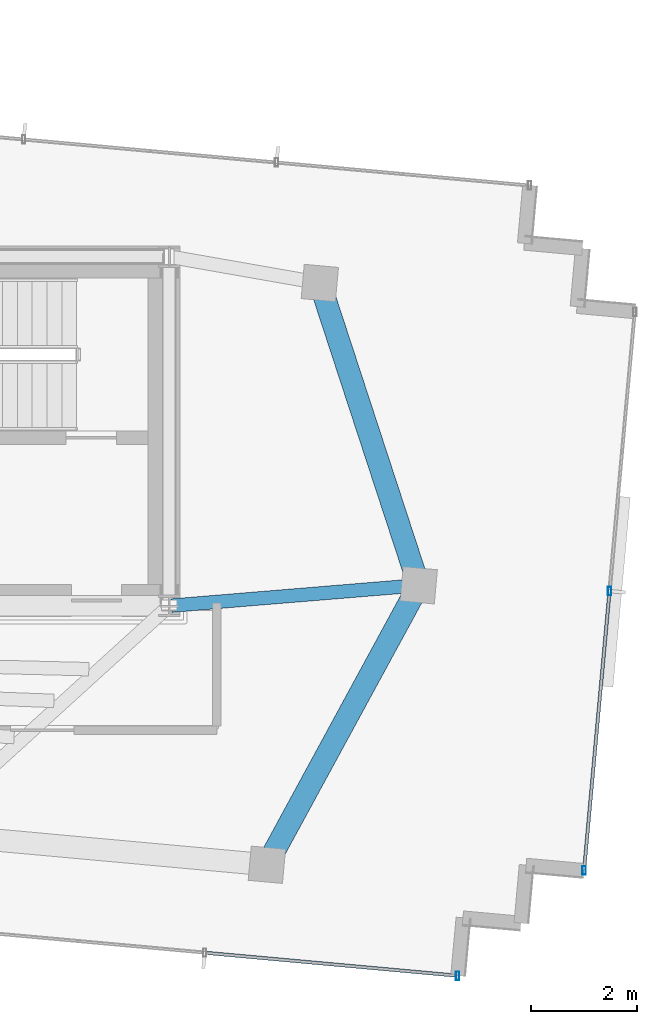
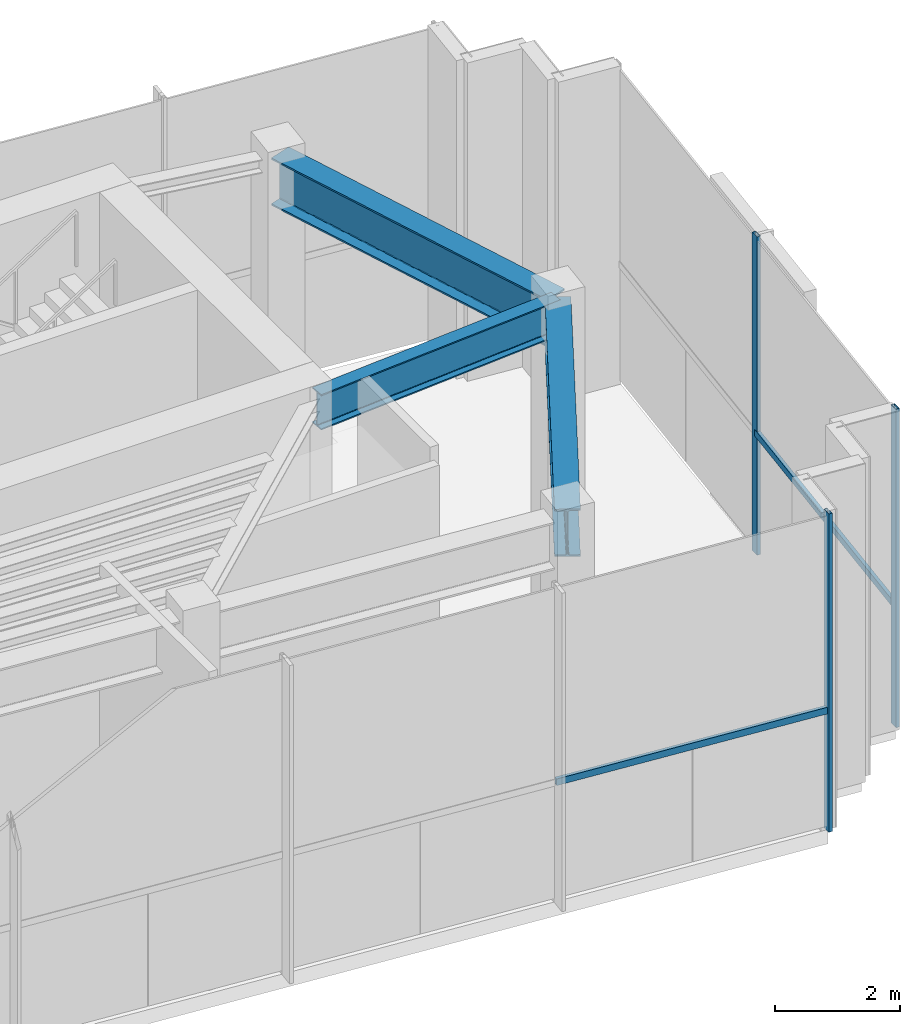
# One storey, part 12 of 19: 5 members, 3 beams, 2 elements without a shape of their own.
"""IFC4 building model written with IfcOpenShell, lengths in metres."""

from ifc_helpers import new_model, si_unit, direction, frame, origin, origin_2d, place, context, subcontext, project, spatial, hollow_rectangle, i_section, extrude, source, transform, mapped, material, material_profile, profile_set, type_object, type_shapes, element, aggregate, save


model = new_model("IFC4")

# Units and contexts
model_context = context("Model", 3, precision=1e-05, world=origin(), true_north=direction((0.0, 1.0)))
body_context = subcontext(model_context, "Body", "Model", "MODEL_VIEW")
ifc_project = project(units=[si_unit("LENGTHUNIT", "METRE"), si_unit("AREAUNIT", "SQUARE_METRE"), si_unit("VOLUMEUNIT", "CUBIC_METRE"), si_unit("PLANEANGLEUNIT", "RADIAN"), si_unit("MASSUNIT", "GRAM", prefix="KILO")], contexts=[model_context])

# Site, building, storey
site_placement = place(None, origin())
site = spatial("IfcSite", under=ifc_project, at=site_placement, CompositionType="ELEMENT")
building_placement = place(site_placement, origin())
building = spatial("IfcBuilding", under=site, at=building_placement, Name="Astriad Promenade Condominiums", CompositionType="ELEMENT")
storey_placement = place(building_placement, frame((0.0, 0.0, 283.800048828125)))
storey = spatial("IfcBuildingStorey", under=building, at=storey_placement, Name="L79", CompositionType="ELEMENT", Elevation=283.800048828125)

# Beams
ifc_material_1 = material(Name="Steel ASTM A992 Grade 50", Category="steel")
ifc_material_profile_1 = material_profile(ifc_material_1, i_section(OverallWidth=0.255859375, OverallDepth=0.693115234375, WebThickness=0.014404296875, FlangeThickness=0.023681640625, FilletRadius=0.020263671875, at=origin_2d()), Name="W27X114")
ifc_profile_set_1 = profile_set([ifc_material_profile_1], Name="Steel ASTM A992 Grade 50")
beam_type_1 = type_object("IfcBeamType", Name="STEEL FLOOR GIRDER W27X114", PredefinedType="BEAM", material=ifc_profile_set_1)
shared_shape_1 = source(origin(), body_context, "Body", "SweptSolid", [
    extrude(i_section(OverallWidth=0.255859375, OverallDepth=0.693115234375, WebThickness=0.014404296875, FlangeThickness=0.023681640625, FilletRadius=0.020263671875, at=origin_2d()), origin(), (0.0, 0.0, 1.0), 4.651611328125),
])
type_shapes(beam_type_1, [shared_shape_1])
beam_placement = place(storey_placement, frame((50.27587890625, 17.78466796875, 5.873291015625), z_axis=(-0.996633871262, -0.081981257934, 0.0), x_axis=(0.081981257934, -0.996633871262, 0.0)))
element("IfcBeam", 1, at=beam_placement, inside=storey, type_object=beam_type_1, Name="Primary Floor Girder PG-EM-L79", PredefinedType="BEAM", context=body_context, shape_type="MappedRepresentation", body=[
    mapped(shared_shape_1, transform((0.0, 0.0, 0.0), scale=1.0)),
])
ifc_material_profile_2 = material_profile(ifc_material_1, i_section(OverallWidth=0.418212890625, OverallDepth=0.926513671875, WebThickness=0.019287109375, FlangeThickness=0.031982421875, FilletRadius=0.024169921875, at=origin_2d()), Name="W36X231")
ifc_profile_set_2 = profile_set([ifc_material_profile_2], Name="Steel ASTM A992 Grade 50")
beam_type_2 = type_object("IfcBeamType", Name="STEEL CROWN RING BEAM W36X231", PredefinedType="BEAM", material=ifc_profile_set_2)
shared_shape_2 = source(origin(), body_context, "Body", "SweptSolid", [
    extrude(i_section(OverallWidth=0.418212890625, OverallDepth=0.926513671875, WebThickness=0.019287109375, FlangeThickness=0.031982421875, FilletRadius=0.024169921875, at=origin_2d()), origin(), (0.0, 0.0, 1.0), 5.93115234375),
])
type_shapes(beam_type_2, [shared_shape_2])
for number, where, z_axis, x_axis, name in (
    (2, (47.464599609375, 12.54150390625, 5.756591796875), (0.477527827146, 0.878616625327, 0.0), (-0.878616625327, 0.477527827146, 0.0), "Perimeter Spandrel Beam SP-E1-L79"),
    (3, (50.303466796875, 17.825927734375, 5.756591796875), (-0.311061368201, 0.950389828025, 0.0), (-0.950389828025, -0.311061368201, 0.0), "Perimeter Spandrel Beam SP-E2-L79"),
):
    element("IfcBeam", number, at=place(storey_placement, frame(where, z_axis=z_axis, x_axis=x_axis)), inside=storey, type_object=beam_type_2, Name=name, PredefinedType="BEAM", context=body_context, shape_type="MappedRepresentation", body=[
        mapped(shared_shape_2, transform((0.0, 0.0, 0.0), scale=1.0)),
    ])

# Curtain wall, members
ifc_material_2 = material(Name="Anodised aluminium Black Dark Glass Unitised", Category="aluminium")
curtain_wall_type = type_object("IfcCurtainWallType", Name="CW-TMD-LANTERN", PredefinedType="USERDEFINED", material=ifc_material_2)
curtain_wall_1_placement = place(storey_placement, origin())
curtain_wall_1 = element("IfcCurtainWall", 4, at=curtain_wall_1_placement, inside=storey, type_object=curtain_wall_type, Name="CW-CRN-L79-13", ObjectType="UNITISED_CURTAIN_WALL", PredefinedType="USERDEFINED")
ifc_material_3 = material(Name="Anodised aluminium 6063-T6 Black", Category="aluminium")
ifc_material_profile_3 = material_profile(ifc_material_3, hollow_rectangle(XDim=0.06494140625, YDim=0.1298828125, WallThickness=0.00390625, at=origin_2d()), Name="ALU-TRN-65X130")
ifc_profile_set_3 = profile_set([ifc_material_profile_3], Name="Anodised aluminium 6063-T6 Black")
member_type_1 = type_object("IfcMemberType", Name="TRN-ALU-TRN-65X130", PredefinedType="USERDEFINED", material=ifc_profile_set_3)
shared_shape_3 = source(origin(), body_context, "Body", "SweptSolid", [
    extrude(hollow_rectangle(XDim=0.06494140625, YDim=0.1298828125, WallThickness=0.00390625, at=origin_2d()), origin(), (0.0, 0.0, 1.0), 5.2998046875),
])
member_1_placement = place(storey_placement, frame((53.921875, 17.677978515625, 2.349853515625), z_axis=(-0.090656194392, -0.995882249274, 0.0), x_axis=(0.995882249274, -0.090656194392, 0.0)))
member_1 = element("IfcMember", 5, at=member_1_placement, type_object=member_type_1, Name="CW-CRN-L79-13-TRN-01-0", ObjectType="TRANSOM", PredefinedType="USERDEFINED", context=body_context, shape_type="MappedRepresentation", body=[
    mapped(shared_shape_3, transform((0.0, 0.0, 0.0), scale=1.0)),
])
ifc_material_profile_4 = material_profile(ifc_material_3, hollow_rectangle(XDim=0.06494140625, YDim=0.159912109375, WallThickness=0.00390625, at=origin_2d()), Name="ALU-MUL-65X160")
ifc_profile_set_4 = profile_set([ifc_material_profile_4], Name="Anodised aluminium 6063-T6 Black")
member_type_2 = type_object("IfcMemberType", Name="MUL-ALU-MUL-65X160", PredefinedType="MULLION", material=ifc_profile_set_4)
shared_shape_4 = source(origin(), body_context, "Body", "SweptSolid", [
    extrude(hollow_rectangle(XDim=0.06494140625, YDim=0.159912109375, WallThickness=0.00390625, at=origin_2d()), origin(), (0.0, 0.0, 1.0), 6.219970703125),
])
type_shapes(member_type_2, [shared_shape_4])
member_2_placement = place(storey_placement, frame((53.921875, 17.677978515625, 0.0), z_axis=(0.0, 0.0, 1.0), x_axis=(1.0, 0.0, 0.0)))
member_2 = element("IfcMember", 6, at=member_2_placement, type_object=member_type_2, Name="CW-CRN-L79-13-MUL-01", PredefinedType="MULLION", context=body_context, shape_type="MappedRepresentation", body=[
    mapped(shared_shape_4, transform((0.0, 0.0, 0.0), scale=1.0)),
])
member_3_placement = place(storey_placement, frame((53.44140625, 12.39990234375, 0.0), z_axis=(0.0, 0.0, 1.0), x_axis=(1.0, 0.0, 0.0)))
member_3 = element("IfcMember", 7, at=member_3_placement, type_object=member_type_2, Name="CW-CRN-L79-13-MUL-02", PredefinedType="MULLION", context=body_context, shape_type="MappedRepresentation", body=[
    mapped(shared_shape_4, transform((0.0, 0.0, 0.0), scale=1.0)),
])
aggregate(curtain_wall_1, [member_2, member_3, member_1])

curtain_wall_2_placement = place(storey_placement, origin())
curtain_wall_2 = element("IfcCurtainWall", 8, at=curtain_wall_2_placement, inside=storey, type_object=curtain_wall_type, Name="CW-CRN-L79-18", ObjectType="UNITISED_CURTAIN_WALL", PredefinedType="USERDEFINED")
member_4_placement = place(storey_placement, frame((51.051025390625, 10.408203125, 0.0), z_axis=(0.0, 0.0, 1.0), x_axis=(1.0, 0.0, 0.0)))
member_4 = element("IfcMember", 9, at=member_4_placement, type_object=member_type_2, Name="CW-CRN-L79-18-MUL-00", PredefinedType="MULLION", context=body_context, shape_type="MappedRepresentation", body=[
    mapped(shared_shape_4, transform((0.0, 0.0, 0.0), scale=1.0)),
])
shared_shape_5 = source(origin(), body_context, "Body", "SweptSolid", [
    extrude(hollow_rectangle(XDim=0.06494140625, YDim=0.1298828125, WallThickness=0.00390625, at=origin_2d()), origin(), (0.0, 0.0, 1.0), 4.7998046875),
])
type_shapes(member_type_1, [shared_shape_3, shared_shape_5])
member_5_placement = place(storey_placement, frame((51.051025390625, 10.408203125, 2.349853515625), z_axis=(-0.9958836116, 0.090641227635, 0.0), x_axis=(-0.090641227635, -0.9958836116, 0.0)))
member_5 = element("IfcMember", 10, at=member_5_placement, type_object=member_type_1, Name="CW-CRN-L79-18-TRN-00-0", ObjectType="TRANSOM", PredefinedType="USERDEFINED", context=body_context, shape_type="MappedRepresentation", body=[
    mapped(shared_shape_5, transform((0.0, 0.0, 0.0), scale=1.0)),
])
aggregate(curtain_wall_2, [member_4, member_5])

save(model, "model.ifc")
